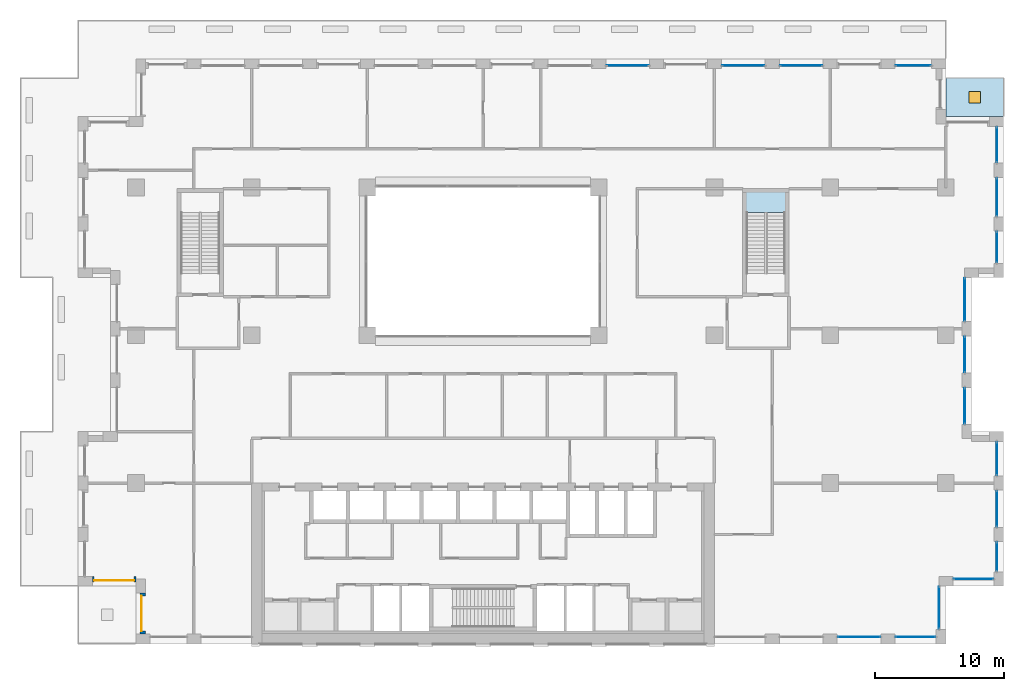
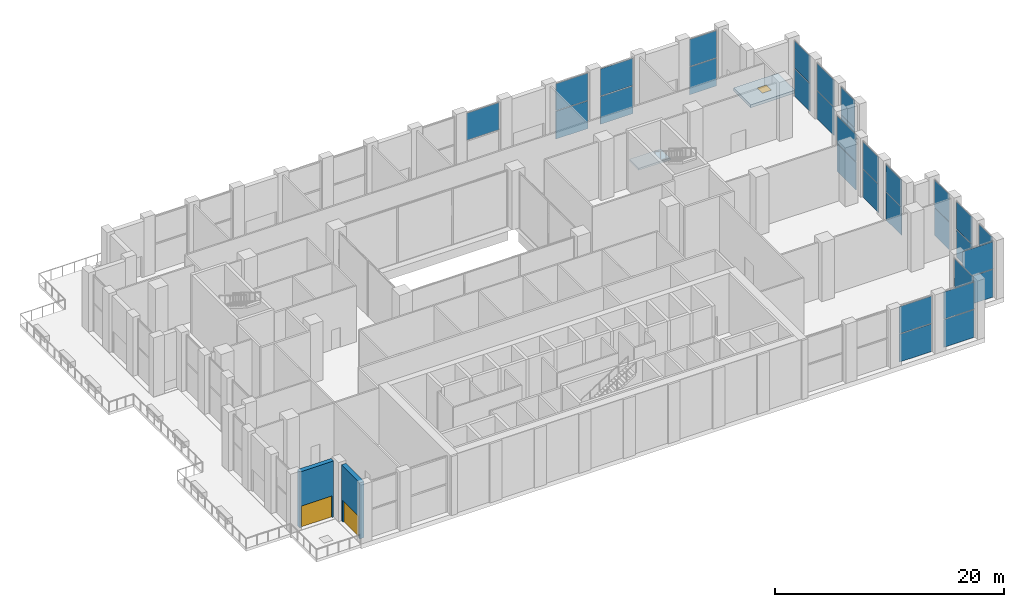
# One storey, part 12 of 21: 33 plates, 2 doors, 2 slabs, 2 walls, 1 window, 3 openings, 18 elements without a shape of their own.
"""IFC4 building model written with IfcOpenShell, lengths in metres."""

import ifcopenshell
import ifcopenshell.guid

model = None  # the IFC model being written
_history = None  # IfcOwnerHistory: only IFC2X3 demands one
_inside = {}  # id of a spatial element -> (the spatial element, [elements in it])
_under = {}  # id of a project, library or spatial element -> (it, [spatial elements below it])
_declared = {}  # id of a project -> (the project, [libraries it declares])
_typed = {}  # id of a type object -> (the type object, [elements of that type])
_made_of = {}  # id of a material, layer set ... -> (it, [elements and type objects made of it])


def new_model(schema):
    """Start an empty IFC model of exactly this schema.

    Asked for "IFC4X3", IfcOpenShell would pick the latest addendum, in which some entities
    have other attributes; the version numbers below select the first issue.
    IFC2X3 requires an IfcOwnerHistory on every rooted entity: one is made here for all.
    """
    global model, _history
    if schema == "IFC4X3":
        model = ifcopenshell.file(schema_version=(4, 3, 0, 0))
    else:
        model = ifcopenshell.file(schema=schema)
    _inside.clear()
    _under.clear()
    _declared.clear()
    _typed.clear()
    _made_of.clear()
    _history = None
    if model.schema == "IFC2X3":
        org = make("IfcOrganization", Name="unknown")
        user = make(
            "IfcPersonAndOrganization",
            ThePerson=make("IfcPerson", FamilyName="unknown"),
            TheOrganization=org,
        )
        app = make(
            "IfcApplication",
            ApplicationDeveloper=org,
            Version="unknown",
            ApplicationFullName="unknown",
            ApplicationIdentifier="unknown",
        )
        _history = make(
            "IfcOwnerHistory",
            OwningUser=user,
            OwningApplication=app,
            ChangeAction="ADDED",
            CreationDate=0,
        )
    return model


def make(cls, **values):
    """One entity of the class cls with the attributes given. An attribute that is None is left unset."""
    return model.create_entity(
        cls, **{name: value for name, value in values.items() if value is not None}
    )


def rooted(cls, **values):
    """An entity with a GlobalId (a new one), such as an element, a storey or a relation."""
    return make(cls, GlobalId=ifcopenshell.guid.new(), OwnerHistory=_history, **values)


def si_unit(unit_type, name, prefix=None):
    """IfcSIUnit, for example si_unit("LENGTHUNIT", "METRE", prefix="MILLI")."""
    return make("IfcSIUnit", UnitType=unit_type, Prefix=prefix, Name=name)


def assignment(units):
    """IfcUnitAssignment: the units of a project."""
    return None if units is None else make("IfcUnitAssignment", Units=units)


def point(xyz):
    """IfcCartesianPoint."""
    return None if xyz is None else make("IfcCartesianPoint", Coordinates=xyz)


def direction(xyz):
    """IfcDirection."""
    return None if xyz is None else make("IfcDirection", DirectionRatios=xyz)


def frame(location, z_axis=None, x_axis=None):
    """IfcAxis2Placement3D, a coordinate frame: its origin and axes. An axis left out is left unset."""
    return make(
        "IfcAxis2Placement3D",
        Location=point(location),
        Axis=direction(z_axis),
        RefDirection=direction(x_axis),
    )


def frame_2d(location, x_axis=None):
    """IfcAxis2Placement2D, a coordinate frame in the plane: its origin and x axis."""
    return make(
        "IfcAxis2Placement2D", Location=point(location), RefDirection=direction(x_axis)
    )


def origin():
    """The frame at (0, 0, 0) with its axes left unset."""
    return frame((0.0, 0.0, 0.0))


def origin_2d():
    """The frame at (0, 0) in the plane with its x axis left unset."""
    return frame_2d((0.0, 0.0))


def place(relative_to, where):
    """IfcLocalPlacement: puts the frame where relative to a parent placement (None: the world)."""
    return make(
        "IfcLocalPlacement", PlacementRelTo=relative_to, RelativePlacement=where
    )


def context(
    kind, dimensions, precision=None, world=None, true_north=None, identifier=None
):
    """IfcGeometricRepresentationContext, for example the 3D "Model" context."""
    return make(
        "IfcGeometricRepresentationContext",
        ContextIdentifier=identifier,
        ContextType=kind,
        CoordinateSpaceDimension=dimensions,
        Precision=precision,
        WorldCoordinateSystem=world,
        TrueNorth=true_north,
    )


def subcontext(parent, identifier, kind, view, scale=None):
    """IfcGeometricRepresentationSubContext, for example "Body" below "Model"."""
    return make(
        "IfcGeometricRepresentationSubContext",
        ContextIdentifier=identifier,
        ContextType=kind,
        ParentContext=parent,
        TargetScale=scale,
        TargetView=view,
    )


def project(units=None, contexts=None):
    """IfcProject with its units and contexts."""
    return rooted(
        "IfcProject",
        Name="project",
        RepresentationContexts=contexts,
        UnitsInContext=assignment(units),
    )


def spatial(cls, under=None, at=None, **own):
    """A site, building, storey or space (cls), placed at a placement, below another one or the project."""
    s = rooted(cls, ObjectPlacement=at, **own)
    if under is not None:
        _under.setdefault(under.id(), (under, []))[1].append(s)
    return s


def polyline(points):
    """IfcPolyline through the points."""
    return make("IfcPolyline", Points=[point(p) for p in points])


def profile(cls, at=None, kind="AREA", **sizes):
    """A parametric profile (cls). Its sizes go by their IFC names, for example OverallWidth=200.0."""
    return make(cls, ProfileType=kind, Position=at, **sizes)


def rectangle(**sizes):
    """IfcRectangleProfileDef."""
    return profile("IfcRectangleProfileDef", **sizes)


def outline(outer, holes=None, kind="AREA"):
    """IfcArbitraryClosedProfileDef: a profile drawn as a closed curve; with holes, ...WithVoids."""
    if holes is None:
        return make("IfcArbitraryClosedProfileDef", ProfileType=kind, OuterCurve=outer)
    return make(
        "IfcArbitraryProfileDefWithVoids",
        ProfileType=kind,
        OuterCurve=outer,
        InnerCurves=holes,
    )


def extrude(swept, where, along, depth):
    """IfcExtrudedAreaSolid: the profile swept, set in the frame where, extruded along a direction by depth."""
    return make(
        "IfcExtrudedAreaSolid",
        SweptArea=swept,
        Position=where,
        ExtrudedDirection=direction(along),
        Depth=depth,
    )


def shape(context_of_items, identifier, shape_type, items):
    """IfcShapeRepresentation: the items that make up one representation, for example the "Body"."""
    return make(
        "IfcShapeRepresentation",
        ContextOfItems=context_of_items,
        RepresentationIdentifier=identifier,
        RepresentationType=shape_type,
        Items=items,
    )


def material(Name=None, Category=None):
    """IfcMaterial."""
    return make("IfcMaterial", Name=Name, Category=Category)


def layer(
    of_material, thickness, ventilated=None, Name=None, Category=None, Priority=None
):
    """IfcMaterialLayer: one layer of a wall or slab, of a material (None: an air gap)."""
    return make(
        "IfcMaterialLayer",
        Material=of_material,
        LayerThickness=thickness,
        IsVentilated=ventilated,
        Name=Name,
        Category=Category,
        Priority=Priority,
    )


def layer_set(layers, Name=None):
    """IfcMaterialLayerSet."""
    return make("IfcMaterialLayerSet", MaterialLayers=layers, LayerSetName=Name)


def made_of(thing, what):
    """Note that an element or type object is made of a material, layer set ...; save() writes the relation."""
    if what is not None:
        _made_of.setdefault(what.id(), (what, []))[1].append(thing)
    return thing


def type_object(cls, material=None, **own):
    """A type object (cls), such as IfcWallType, which elements share."""
    return made_of(rooted(cls, **own), material)


def element(
    cls,
    number,
    at=None,
    inside=None,
    cuts=None,
    type_object=None,
    material=None,
    context=None,
    identifier="Body",
    shape_type=None,
    held_by="IfcProductDefinitionShape",
    body=None,
    shapes=None,
    **own,
):
    """One element of the class cls, such as IfcWall. Its Tag is "e" and its number.

    at: its placement. inside: the storey or other place that contains it. cuts: it is an
    opening in that element (IfcRelVoidsElement). A single representation is given by context,
    identifier, shape_type and body (its items); several are given by shapes. held_by: the class
    of the entity that holds the representations. save() writes the other relations.
    """
    e = rooted(cls, Tag="e%d" % number, ObjectPlacement=at, **own)
    if body is not None:
        shapes = [shape(context, identifier, shape_type, body)]
    if shapes is not None:
        e.Representation = make(held_by, Representations=shapes)
    if inside is not None:
        _inside.setdefault(inside.id(), (inside, []))[1].append(e)
    if cuts is not None:
        rooted(
            "IfcRelVoidsElement", RelatingBuildingElement=cuts, RelatedOpeningElement=e
        )
    if type_object is not None:
        _typed.setdefault(type_object.id(), (type_object, []))[1].append(e)
    return made_of(e, material)


def fill(opening, filler):
    """IfcRelFillsElement: the door or window that sits in an opening."""
    return rooted(
        "IfcRelFillsElement",
        RelatingOpeningElement=opening,
        RelatedBuildingElement=filler,
    )


def aggregate(whole, parts):
    """IfcRelAggregates: a whole, such as a stair, and the parts it consists of."""
    return rooted("IfcRelAggregates", RelatingObject=whole, RelatedObjects=parts)


def save(model, path):
    """Write the relations noted so far, then the file.

    IfcRelAggregates (storeys below a building ...), IfcRelContainedInSpatialStructure (elements
    in a storey), IfcRelDefinesByType, IfcRelAssociatesMaterial and IfcRelDeclares: one each for
    every whole, place, type object, material and project.
    """
    for whole, parts in _under.values():
        aggregate(whole, parts)
    for where, things in _inside.values():
        rooted(
            "IfcRelContainedInSpatialStructure",
            RelatedElements=things,
            RelatingStructure=where,
        )
    for kind, things in _typed.values():
        rooted("IfcRelDefinesByType", RelatedObjects=things, RelatingType=kind)
    for what, things in _made_of.values():
        rooted("IfcRelAssociatesMaterial", RelatedObjects=things, RelatingMaterial=what)
    for by, libraries in _declared.values():
        rooted("IfcRelDeclares", RelatingContext=by, RelatedDefinitions=libraries)
    model.write(path)


model = new_model("IFC4")

# Units and contexts
model_context = context("Model", 3, precision=1e-05, world=origin(), true_north=direction((0.0, 1.0)))
body_context = subcontext(model_context, "Body", "Model", "MODEL_VIEW")
ifc_project = project(units=[si_unit("LENGTHUNIT", "METRE"), si_unit("AREAUNIT", "SQUARE_METRE"), si_unit("VOLUMEUNIT", "CUBIC_METRE"), si_unit("PLANEANGLEUNIT", "RADIAN"), si_unit("MASSUNIT", "GRAM", prefix="KILO")], contexts=[model_context])

# Site, building, storey
site_placement = place(None, origin())
site = spatial("IfcSite", under=ifc_project, at=site_placement, CompositionType="ELEMENT")
building_placement = place(site_placement, origin())
building = spatial("IfcBuilding", under=site, at=building_placement, Name="Brigalow Station Residences", CompositionType="ELEMENT")
storey_placement = place(building_placement, frame((0.0, 0.0, 77.25)))
storey = spatial("IfcBuildingStorey", under=building, at=storey_placement, Name="L22", CompositionType="ELEMENT", Elevation=77.25)

# Curtain wall, plates
ifc_material_1 = material(Name="Aluminium", Category="aluminium")
ifc_layer_1 = layer(ifc_material_1, 0.199951171875)
ifc_layer_set_1 = layer_set([ifc_layer_1], Name="SKY FLOOR GLAZING CURTAIN WALL")
curtain_wall_type = type_object("IfcCurtainWallType", Name="SKY FLOOR GLAZING CURTAIN WALL", PredefinedType="NOTDEFINED", material=ifc_layer_set_1)
curtain_wall_1_placement = place(storey_placement, origin())
curtain_wall_1 = element("IfcCurtainWall", 1, at=curtain_wall_1_placement, inside=storey, type_object=curtain_wall_type, Name="L22/cw/W-L22-6", PredefinedType="NOTDEFINED")
ifc_material_2 = material(Name="Laminated low-emissivity double-glazed unit")
ifc_layer_2 = layer(ifc_material_2, 0.050048828125)
ifc_layer_set_2 = layer_set([ifc_layer_2], Name="SKY FLOOR GLAZING PANEL 50")
plate_type = type_object("IfcPlateType", Name="SKY FLOOR GLAZING PANEL 50", PredefinedType="CURTAIN_PANEL", material=ifc_layer_set_2)
plate_1_placement = place(storey_placement, frame((65.25, 0.52490234375, 0.0), z_axis=(0.0, 0.0, 1.0), x_axis=(1.0, 0.0, 0.0)))
plate_1 = element("IfcPlate", 2, at=plate_1_placement, type_object=plate_type, Name="L22/cw/W-L22-6/P00-00", PredefinedType="CURTAIN_PANEL", context=body_context, shape_type="SweptSolid", body=[
    extrude(rectangle(XDim=3.260009765625, YDim=0.050048828125, at=origin_2d()), origin(), (0.0, 0.0, 1.0), 2.955078125),
])
plate_2_placement = place(storey_placement, frame((65.25, 0.52490234375, 3.02490234375), z_axis=(0.0, 0.0, 1.0), x_axis=(1.0, 0.0, 0.0)))
plate_2 = element("IfcPlate", 3, at=plate_2_placement, type_object=plate_type, Name="L22/cw/W-L22-6/P00-01", PredefinedType="CURTAIN_PANEL", context=body_context, shape_type="SweptSolid", body=[
    extrude(rectangle(XDim=3.260009765625, YDim=0.050048828125, at=origin_2d()), origin(), (0.0, 0.0, 1.0), 2.885009765625),
])
aggregate(curtain_wall_1, [plate_1, plate_2])

curtain_wall_2_placement = place(storey_placement, origin())
curtain_wall_2 = element("IfcCurtainWall", 4, at=curtain_wall_2_placement, inside=storey, type_object=curtain_wall_type, Name="L22/cw/W-L22-7", PredefinedType="NOTDEFINED")
plate_3_placement = place(storey_placement, frame((69.64990234375, 0.52490234375, 0.0), z_axis=(0.0, 0.0, 1.0), x_axis=(1.0, 0.0, 0.0)))
plate_3 = element("IfcPlate", 5, at=plate_3_placement, type_object=plate_type, Name="L22/cw/W-L22-7/P00-00", PredefinedType="CURTAIN_PANEL", context=body_context, shape_type="SweptSolid", body=[
    extrude(rectangle(XDim=3.06005859375, YDim=0.050048828125, at=origin_2d()), origin(), (0.0, 0.0, 1.0), 2.955078125),
])
plate_4_placement = place(storey_placement, frame((69.64990234375, 0.52490234375, 3.02490234375), z_axis=(0.0, 0.0, 1.0), x_axis=(1.0, 0.0, 0.0)))
plate_4 = element("IfcPlate", 6, at=plate_4_placement, type_object=plate_type, Name="L22/cw/W-L22-7/P00-01", PredefinedType="CURTAIN_PANEL", context=body_context, shape_type="SweptSolid", body=[
    extrude(rectangle(XDim=3.06005859375, YDim=0.050048828125, at=origin_2d()), origin(), (0.0, 0.0, 1.0), 2.885009765625),
])
aggregate(curtain_wall_2, [plate_3, plate_4])

curtain_wall_3_placement = place(storey_placement, origin())
curtain_wall_3 = element("IfcCurtainWall", 7, at=curtain_wall_3_placement, inside=storey, type_object=curtain_wall_type, Name="L22/cw/W-L22-8", PredefinedType="NOTDEFINED")
plate_5_placement = place(storey_placement, frame((71.47509765625, 2.800048828125, 0.0), z_axis=(0.0, 0.0, 1.0), x_axis=(0.0, 1.0, 0.0)))
plate_5 = element("IfcPlate", 8, at=plate_5_placement, type_object=plate_type, Name="L22/cw/W-L22-8/P00-00", PredefinedType="CURTAIN_PANEL", context=body_context, shape_type="SweptSolid", body=[
    extrude(rectangle(XDim=3.260009765625, YDim=0.050048828125, at=origin_2d()), origin(), (0.0, 0.0, 1.0), 2.955078125),
])
plate_6_placement = place(storey_placement, frame((71.47509765625, 2.800048828125, 3.02490234375), z_axis=(0.0, 0.0, 1.0), x_axis=(0.0, 1.0, 0.0)))
plate_6 = element("IfcPlate", 9, at=plate_6_placement, type_object=plate_type, Name="L22/cw/W-L22-8/P00-01", PredefinedType="CURTAIN_PANEL", context=body_context, shape_type="SweptSolid", body=[
    extrude(rectangle(XDim=3.260009765625, YDim=0.050048828125, at=origin_2d()), origin(), (0.0, 0.0, 1.0), 2.885009765625),
])
aggregate(curtain_wall_3, [plate_5, plate_6])

curtain_wall_4_placement = place(storey_placement, origin())
curtain_wall_4 = element("IfcCurtainWall", 10, at=curtain_wall_4_placement, inside=storey, type_object=curtain_wall_type, Name="L22/cw/W-L22-9", PredefinedType="NOTDEFINED")
plate_7_placement = place(storey_placement, frame((74.14990234375, 5.02490234375, 0.0), z_axis=(0.0, 0.0, 1.0), x_axis=(1.0, 0.0, 0.0)))
plate_7 = element("IfcPlate", 11, at=plate_7_placement, type_object=plate_type, Name="L22/cw/W-L22-9/P00-00", PredefinedType="CURTAIN_PANEL", context=body_context, shape_type="SweptSolid", body=[
    extrude(rectangle(XDim=3.06005859375, YDim=0.050048828125, at=origin_2d()), origin(), (0.0, 0.0, 1.0), 2.955078125),
])
plate_8_placement = place(storey_placement, frame((74.14990234375, 5.02490234375, 3.02490234375), z_axis=(0.0, 0.0, 1.0), x_axis=(1.0, 0.0, 0.0)))
plate_8 = element("IfcPlate", 12, at=plate_8_placement, type_object=plate_type, Name="L22/cw/W-L22-9/P00-01", PredefinedType="CURTAIN_PANEL", context=body_context, shape_type="SweptSolid", body=[
    extrude(rectangle(XDim=3.06005859375, YDim=0.050048828125, at=origin_2d()), origin(), (0.0, 0.0, 1.0), 2.885009765625),
])
aggregate(curtain_wall_4, [plate_7, plate_8])

curtain_wall_5_placement = place(storey_placement, origin())
curtain_wall_5 = element("IfcCurtainWall", 13, at=curtain_wall_5_placement, inside=storey, type_object=curtain_wall_type, Name="L22/cw/W-L22-10", PredefinedType="NOTDEFINED")
plate_9_placement = place(storey_placement, frame((75.97509765625, 6.77490234375, 0.0), z_axis=(0.0, 0.0, 1.0), x_axis=(0.0, 1.0, 0.0)))
plate_9 = element("IfcPlate", 14, at=plate_9_placement, type_object=plate_type, Name="L22/cw/W-L22-10/P00-00", PredefinedType="CURTAIN_PANEL", context=body_context, shape_type="SweptSolid", body=[
    extrude(rectangle(XDim=2.2099609375, YDim=0.050048828125, at=origin_2d()), origin(), (0.0, 0.0, 1.0), 2.955078125),
])
plate_10_placement = place(storey_placement, frame((75.97509765625, 6.77490234375, 3.02490234375), z_axis=(0.0, 0.0, 1.0), x_axis=(0.0, 1.0, 0.0)))
plate_10 = element("IfcPlate", 15, at=plate_10_placement, type_object=plate_type, Name="L22/cw/W-L22-10/P00-01", PredefinedType="CURTAIN_PANEL", context=body_context, shape_type="SweptSolid", body=[
    extrude(rectangle(XDim=2.2099609375, YDim=0.050048828125, at=origin_2d()), origin(), (0.0, 0.0, 1.0), 2.885009765625),
])
aggregate(curtain_wall_5, [plate_9, plate_10])

curtain_wall_6_placement = place(storey_placement, origin())
curtain_wall_6 = element("IfcCurtainWall", 16, at=curtain_wall_6_placement, inside=storey, type_object=curtain_wall_type, Name="L22/cw/W-L22-11", PredefinedType="NOTDEFINED")
plate_11_placement = place(storey_placement, frame((75.97509765625, 10.5, 0.0), z_axis=(0.0, 0.0, 1.0), x_axis=(0.0, 1.0, 0.0)))
plate_11 = element("IfcPlate", 17, at=plate_11_placement, type_object=plate_type, Name="L22/cw/W-L22-11/P00-00", PredefinedType="CURTAIN_PANEL", context=body_context, shape_type="SweptSolid", body=[
    extrude(rectangle(XDim=2.760009765625, YDim=0.050048828125, at=origin_2d()), origin(), (0.0, 0.0, 1.0), 2.955078125),
])
plate_12_placement = place(storey_placement, frame((75.97509765625, 10.5, 3.02490234375), z_axis=(0.0, 0.0, 1.0), x_axis=(0.0, 1.0, 0.0)))
plate_12 = element("IfcPlate", 18, at=plate_12_placement, type_object=plate_type, Name="L22/cw/W-L22-11/P00-01", PredefinedType="CURTAIN_PANEL", context=body_context, shape_type="SweptSolid", body=[
    extrude(rectangle(XDim=2.760009765625, YDim=0.050048828125, at=origin_2d()), origin(), (0.0, 0.0, 1.0), 2.885009765625),
])
aggregate(curtain_wall_6, [plate_11, plate_12])

curtain_wall_7_placement = place(storey_placement, origin())
curtain_wall_7 = element("IfcCurtainWall", 19, at=curtain_wall_7_placement, inside=storey, type_object=curtain_wall_type, Name="L22/cw/W-L22-12", PredefinedType="NOTDEFINED")
plate_13_placement = place(storey_placement, frame((75.97509765625, 14.39990234375, 0.0), z_axis=(0.0, 0.0, 1.0), x_axis=(0.0, 1.0, 0.0)))
plate_13 = element("IfcPlate", 20, at=plate_13_placement, type_object=plate_type, Name="L22/cw/W-L22-12/P00-00", PredefinedType="CURTAIN_PANEL", context=body_context, shape_type="SweptSolid", body=[
    extrude(rectangle(XDim=2.56005859375, YDim=0.050048828125, at=origin_2d()), origin(), (0.0, 0.0, 1.0), 2.955078125),
])
plate_14_placement = place(storey_placement, frame((75.97509765625, 14.39990234375, 3.02490234375), z_axis=(0.0, 0.0, 1.0), x_axis=(0.0, 1.0, 0.0)))
plate_14 = element("IfcPlate", 21, at=plate_14_placement, type_object=plate_type, Name="L22/cw/W-L22-12/P00-01", PredefinedType="CURTAIN_PANEL", context=body_context, shape_type="SweptSolid", body=[
    extrude(rectangle(XDim=2.56005859375, YDim=0.050048828125, at=origin_2d()), origin(), (0.0, 0.0, 1.0), 2.885009765625),
])
aggregate(curtain_wall_7, [plate_13, plate_14])

curtain_wall_8_placement = place(storey_placement, origin())
curtain_wall_8 = element("IfcCurtainWall", 22, at=curtain_wall_8_placement, inside=storey, type_object=curtain_wall_type, Name="L22/cw/W-L22-14", PredefinedType="NOTDEFINED")
plate_15_placement = place(storey_placement, frame((73.47509765625, 18.5, 0.0), z_axis=(0.0, 0.0, 1.0), x_axis=(0.0, 1.0, 0.0)))
plate_15 = element("IfcPlate", 23, at=plate_15_placement, type_object=plate_type, Name="L22/cw/W-L22-14/P00-00", PredefinedType="CURTAIN_PANEL", context=body_context, shape_type="SweptSolid", body=[
    extrude(rectangle(XDim=2.760009765625, YDim=0.050048828125, at=origin_2d()), origin(), (0.0, 0.0, 1.0), 2.955078125),
])
plate_16_placement = place(storey_placement, frame((73.47509765625, 18.5, 3.02490234375), z_axis=(0.0, 0.0, 1.0), x_axis=(0.0, 1.0, 0.0)))
plate_16 = element("IfcPlate", 24, at=plate_16_placement, type_object=plate_type, Name="L22/cw/W-L22-14/P00-01", PredefinedType="CURTAIN_PANEL", context=body_context, shape_type="SweptSolid", body=[
    extrude(rectangle(XDim=2.760009765625, YDim=0.050048828125, at=origin_2d()), origin(), (0.0, 0.0, 1.0), 2.885009765625),
])
aggregate(curtain_wall_8, [plate_15, plate_16])

curtain_wall_9_placement = place(storey_placement, origin())
curtain_wall_9 = element("IfcCurtainWall", 25, at=curtain_wall_9_placement, inside=storey, type_object=curtain_wall_type, Name="L22/cw/W-L22-15", PredefinedType="NOTDEFINED")
plate_17_placement = place(storey_placement, frame((73.47509765625, 22.5, 0.0), z_axis=(0.0, 0.0, 1.0), x_axis=(0.0, 1.0, 0.0)))
plate_17 = element("IfcPlate", 26, at=plate_17_placement, type_object=plate_type, Name="L22/cw/W-L22-15/P00-00", PredefinedType="CURTAIN_PANEL", context=body_context, shape_type="SweptSolid", body=[
    extrude(rectangle(XDim=2.760009765625, YDim=0.050048828125, at=origin_2d()), origin(), (0.0, 0.0, 1.0), 2.955078125),
])
plate_18_placement = place(storey_placement, frame((73.47509765625, 22.5, 3.02490234375), z_axis=(0.0, 0.0, 1.0), x_axis=(0.0, 1.0, 0.0)))
plate_18 = element("IfcPlate", 27, at=plate_18_placement, type_object=plate_type, Name="L22/cw/W-L22-15/P00-01", PredefinedType="CURTAIN_PANEL", context=body_context, shape_type="SweptSolid", body=[
    extrude(rectangle(XDim=2.760009765625, YDim=0.050048828125, at=origin_2d()), origin(), (0.0, 0.0, 1.0), 2.885009765625),
])
aggregate(curtain_wall_9, [plate_17, plate_18])

curtain_wall_10_placement = place(storey_placement, origin())
curtain_wall_10 = element("IfcCurtainWall", 28, at=curtain_wall_10_placement, inside=storey, type_object=curtain_wall_type, Name="L22/cw/W-L22-16", PredefinedType="NOTDEFINED")
plate_19_placement = place(storey_placement, frame((73.47509765625, 26.77490234375, 0.0), z_axis=(0.0, 0.0, 1.0), x_axis=(0.0, 1.0, 0.0)))
plate_19 = element("IfcPlate", 29, at=plate_19_placement, type_object=plate_type, Name="L22/cw/W-L22-16/P00-00", PredefinedType="CURTAIN_PANEL", context=body_context, shape_type="SweptSolid", body=[
    extrude(rectangle(XDim=3.31005859375, YDim=0.050048828125, at=origin_2d()), origin(), (0.0, 0.0, 1.0), 2.955078125),
])
plate_20_placement = place(storey_placement, frame((73.47509765625, 26.77490234375, 3.02490234375), z_axis=(0.0, 0.0, 1.0), x_axis=(0.0, 1.0, 0.0)))
plate_20 = element("IfcPlate", 30, at=plate_20_placement, type_object=plate_type, Name="L22/cw/W-L22-16/P00-01", PredefinedType="CURTAIN_PANEL", context=body_context, shape_type="SweptSolid", body=[
    extrude(rectangle(XDim=3.31005859375, YDim=0.050048828125, at=origin_2d()), origin(), (0.0, 0.0, 1.0), 2.885009765625),
])
aggregate(curtain_wall_10, [plate_19, plate_20])

curtain_wall_11_placement = place(storey_placement, origin())
curtain_wall_11 = element("IfcCurtainWall", 31, at=curtain_wall_11_placement, inside=storey, type_object=curtain_wall_type, Name="L22/cw/W-L22-18", PredefinedType="NOTDEFINED")
plate_21_placement = place(storey_placement, frame((75.97509765625, 30.8583984375, 0.0), z_axis=(0.0, 0.0, 1.0), x_axis=(0.0, 1.0, 0.0)))
plate_21 = element("IfcPlate", 32, at=plate_21_placement, type_object=plate_type, Name="L22/cw/W-L22-18/P00-00", PredefinedType="CURTAIN_PANEL", context=body_context, shape_type="SweptSolid", body=[
    extrude(rectangle(XDim=2.376953125, YDim=0.050048828125, at=origin_2d()), origin(), (0.0, 0.0, 1.0), 2.955078125),
])
plate_22_placement = place(storey_placement, frame((75.97509765625, 30.8583984375, 3.02490234375), z_axis=(0.0, 0.0, 1.0), x_axis=(0.0, 1.0, 0.0)))
plate_22 = element("IfcPlate", 33, at=plate_22_placement, type_object=plate_type, Name="L22/cw/W-L22-18/P00-01", PredefinedType="CURTAIN_PANEL", context=body_context, shape_type="SweptSolid", body=[
    extrude(rectangle(XDim=2.376953125, YDim=0.050048828125, at=origin_2d()), origin(), (0.0, 0.0, 1.0), 2.885009765625),
])
aggregate(curtain_wall_11, [plate_21, plate_22])

curtain_wall_12_placement = place(storey_placement, origin())
curtain_wall_12 = element("IfcCurtainWall", 34, at=curtain_wall_12_placement, inside=storey, type_object=curtain_wall_type, Name="L22/cw/W-L22-19", PredefinedType="NOTDEFINED")
plate_23_placement = place(storey_placement, frame((75.97509765625, 34.75, 0.0), z_axis=(0.0, 0.0, 1.0), x_axis=(0.0, 1.0, 0.0)))
plate_23 = element("IfcPlate", 35, at=plate_23_placement, type_object=plate_type, Name="L22/cw/W-L22-19/P00-00", PredefinedType="CURTAIN_PANEL", context=body_context, shape_type="SweptSolid", body=[
    extrude(rectangle(XDim=2.926025390625, YDim=0.050048828125, at=origin_2d()), origin(), (0.0, 0.0, 1.0), 2.955078125),
])
plate_24_placement = place(storey_placement, frame((75.97509765625, 34.75, 3.02490234375), z_axis=(0.0, 0.0, 1.0), x_axis=(0.0, 1.0, 0.0)))
plate_24 = element("IfcPlate", 36, at=plate_24_placement, type_object=plate_type, Name="L22/cw/W-L22-19/P00-01", PredefinedType="CURTAIN_PANEL", context=body_context, shape_type="SweptSolid", body=[
    extrude(rectangle(XDim=2.926025390625, YDim=0.050048828125, at=origin_2d()), origin(), (0.0, 0.0, 1.0), 2.885009765625),
])
aggregate(curtain_wall_12, [plate_23, plate_24])

curtain_wall_13_placement = place(storey_placement, origin())
curtain_wall_13 = element("IfcCurtainWall", 37, at=curtain_wall_13_placement, inside=storey, type_object=curtain_wall_type, Name="L22/cw/W-L22-20", PredefinedType="NOTDEFINED")
plate_25_placement = place(storey_placement, frame((75.97509765625, 38.81640625, 0.0), z_axis=(0.0, 0.0, 1.0), x_axis=(0.0, 1.0, 0.0)))
plate_25 = element("IfcPlate", 38, at=plate_25_placement, type_object=plate_type, Name="L22/cw/W-L22-20/P00-00", PredefinedType="CURTAIN_PANEL", context=body_context, shape_type="SweptSolid", body=[
    extrude(rectangle(XDim=2.72705078125, YDim=0.050048828125, at=origin_2d()), origin(), (0.0, 0.0, 1.0), 2.955078125),
])
plate_26_placement = place(storey_placement, frame((75.97509765625, 38.81640625, 3.02490234375), z_axis=(0.0, 0.0, 1.0), x_axis=(0.0, 1.0, 0.0)))
plate_26 = element("IfcPlate", 39, at=plate_26_placement, type_object=plate_type, Name="L22/cw/W-L22-20/P00-01", PredefinedType="CURTAIN_PANEL", context=body_context, shape_type="SweptSolid", body=[
    extrude(rectangle(XDim=2.72705078125, YDim=0.050048828125, at=origin_2d()), origin(), (0.0, 0.0, 1.0), 2.885009765625),
])
aggregate(curtain_wall_13, [plate_25, plate_26])

curtain_wall_14_placement = place(storey_placement, origin())
curtain_wall_14 = element("IfcCurtainWall", 40, at=curtain_wall_14_placement, inside=storey, type_object=curtain_wall_type, Name="L22/cw/W-L22-23", PredefinedType="NOTDEFINED")
plate_27_placement = place(storey_placement, frame((69.47509765625, 44.97509765625, 0.0), z_axis=(0.0, 0.0, 1.0), x_axis=(-1.0, 0.0, 0.0)))
plate_27 = element("IfcPlate", 41, at=plate_27_placement, type_object=plate_type, Name="L22/cw/W-L22-23/P00-00", PredefinedType="CURTAIN_PANEL", context=body_context, shape_type="SweptSolid", body=[
    extrude(rectangle(XDim=2.7099609375, YDim=0.050048828125, at=origin_2d()), origin(), (0.0, 0.0, 1.0), 2.955078125),
])
plate_28_placement = place(storey_placement, frame((69.47509765625, 44.97509765625, 3.02490234375), z_axis=(0.0, 0.0, 1.0), x_axis=(-1.0, 0.0, 0.0)))
plate_28 = element("IfcPlate", 42, at=plate_28_placement, type_object=plate_type, Name="L22/cw/W-L22-23/P00-01", PredefinedType="CURTAIN_PANEL", context=body_context, shape_type="SweptSolid", body=[
    extrude(rectangle(XDim=2.7099609375, YDim=0.050048828125, at=origin_2d()), origin(), (0.0, 0.0, 1.0), 2.885009765625),
])
aggregate(curtain_wall_14, [plate_27, plate_28])

curtain_wall_15_placement = place(storey_placement, origin())
curtain_wall_15 = element("IfcCurtainWall", 43, at=curtain_wall_15_placement, inside=storey, type_object=curtain_wall_type, Name="L22/cw/W-L22-25", PredefinedType="NOTDEFINED")
plate_29_placement = place(storey_placement, frame((60.75, 44.97509765625, 0.0), z_axis=(0.0, 0.0, 1.0), x_axis=(-1.0, 0.0, 0.0)))
plate_29 = element("IfcPlate", 44, at=plate_29_placement, type_object=plate_type, Name="L22/cw/W-L22-25/P00-00", PredefinedType="CURTAIN_PANEL", context=body_context, shape_type="SweptSolid", body=[
    extrude(rectangle(XDim=3.260009765625, YDim=0.050048828125, at=origin_2d()), origin(), (0.0, 0.0, 1.0), 2.955078125),
])
plate_30_placement = place(storey_placement, frame((60.75, 44.97509765625, 3.02490234375), z_axis=(0.0, 0.0, 1.0), x_axis=(-1.0, 0.0, 0.0)))
plate_30 = element("IfcPlate", 45, at=plate_30_placement, type_object=plate_type, Name="L22/cw/W-L22-25/P00-01", PredefinedType="CURTAIN_PANEL", context=body_context, shape_type="SweptSolid", body=[
    extrude(rectangle(XDim=3.260009765625, YDim=0.050048828125, at=origin_2d()), origin(), (0.0, 0.0, 1.0), 2.885009765625),
])
aggregate(curtain_wall_15, [plate_29, plate_30])

curtain_wall_16_placement = place(storey_placement, origin())
curtain_wall_16 = element("IfcCurtainWall", 46, at=curtain_wall_16_placement, inside=storey, type_object=curtain_wall_type, Name="L22/cw/W-L22-26", PredefinedType="NOTDEFINED")
plate_31_placement = place(storey_placement, frame((56.25, 44.97509765625, 0.0), z_axis=(0.0, 0.0, 1.0), x_axis=(-1.0, 0.0, 0.0)))
plate_31 = element("IfcPlate", 47, at=plate_31_placement, type_object=plate_type, Name="L22/cw/W-L22-26/P00-00", PredefinedType="CURTAIN_PANEL", context=body_context, shape_type="SweptSolid", body=[
    extrude(rectangle(XDim=3.260009765625, YDim=0.050048828125, at=origin_2d()), origin(), (0.0, 0.0, 1.0), 2.955078125),
])
plate_32_placement = place(storey_placement, frame((56.25, 44.97509765625, 3.02490234375), z_axis=(0.0, 0.0, 1.0), x_axis=(-1.0, 0.0, 0.0)))
plate_32 = element("IfcPlate", 48, at=plate_32_placement, type_object=plate_type, Name="L22/cw/W-L22-26/P00-01", PredefinedType="CURTAIN_PANEL", context=body_context, shape_type="SweptSolid", body=[
    extrude(rectangle(XDim=3.260009765625, YDim=0.050048828125, at=origin_2d()), origin(), (0.0, 0.0, 1.0), 2.885009765625),
])
aggregate(curtain_wall_16, [plate_31, plate_32])

# Curtain wall, plate
curtain_wall_17_placement = place(storey_placement, origin())
curtain_wall_17 = element("IfcCurtainWall", 49, at=curtain_wall_17_placement, inside=storey, type_object=curtain_wall_type, Name="L22/cw/W-L22-28", PredefinedType="NOTDEFINED")
plate_33_placement = place(storey_placement, frame((47.25, 44.97509765625, 3.02490234375), z_axis=(0.0, 0.0, 1.0), x_axis=(-1.0, 0.0, 0.0)))
plate_33 = element("IfcPlate", 50, at=plate_33_placement, type_object=plate_type, Name="L22/cw/W-L22-28/P00-01", PredefinedType="CURTAIN_PANEL", context=body_context, shape_type="SweptSolid", body=[
    extrude(rectangle(XDim=3.260009765625, YDim=0.050048828125, at=origin_2d()), origin(), (0.0, 0.0, 1.0), 2.885009765625),
])
aggregate(curtain_wall_17, [plate_33])

# Stair, slab
ifc_material_3 = material(Name="Concrete C50", Category="concrete")
stair_type = type_object("IfcStairType", Name="EXIT STAIR 1400 2 FLIGHT", PredefinedType="HALF_TURN_STAIR", material=ifc_material_3)
stair_placement = place(storey_placement, origin())
stair = element("IfcStair", 51, at=stair_placement, inside=storey, type_object=stair_type, Name="EXIT STAIR S3 L22", PredefinedType="HALF_TURN_STAIR")
ifc_material_4 = material(Name="Concrete C50", Category="concrete")
ifc_layer_3 = layer(ifc_material_4, 0.199951171875)
ifc_layer_set_3 = layer_set([ifc_layer_3], Name="STAIR LANDING 200")
slab_type_1 = type_object("IfcSlabType", Name="STAIR LANDING 200", PredefinedType="LANDING", material=ifc_layer_set_3)
slab_1_placement = place(storey_placement, frame((0.0, 0.0, 2.949951171875)))
slab_1 = element("IfcSlab", 52, at=slab_1_placement, type_object=slab_type_1, Name="ST-3 landing 1", PredefinedType="LANDING", context=body_context, shape_type="SweptSolid", body=[
    extrude(outline(polyline([(56.39990234375, 33.56005859375), (59.60009765625, 33.56005859375), (59.60009765625, 35.199951171875), (56.39990234375, 35.199951171875), (56.39990234375, 33.56005859375)])), origin(), (0.0, 0.0, 1.0), 0.199951171875),
])
aggregate(stair, [slab_1])

# Slab, opening, window
ifc_material_5 = material(Name="Concrete C50 precast", Category="concrete")
ifc_layer_4 = layer(ifc_material_5, 0.300048828125)
ifc_layer_set_4 = layer_set([ifc_layer_4], Name="TERRACE SLAB 300")
slab_type_2 = type_object("IfcSlabType", Name="TERRACE SLAB 300", PredefinedType="FLOOR", material=ifc_layer_set_4)
slab_2_placement = place(storey_placement, frame((0.0, 0.0, -0.340087890625)))
slab_2 = element("IfcSlab", 53, at=slab_2_placement, inside=storey, type_object=slab_type_2, Name="L22/terrace/3", PredefinedType="FLOOR", context=body_context, shape_type="SweptSolid", body=[
    extrude(outline(polyline([(72.0, 44.0), (72.0, 41.0), (76.5, 41.0), (76.5, 44.0), (72.0, 44.0)])), origin(), (0.0, 0.0, 1.0), 0.300048828125),
])
opening_1_placement = place(slab_2_placement, frame((74.25, 42.5, 0.0)))
opening_1 = element("IfcOpeningElement", 54, at=opening_1_placement, cuts=slab_2, Name="Opening RF-3", PredefinedType="OPENING", context=body_context, shape_type="SweptSolid", body=[
    extrude(rectangle(XDim=0.89990234375, YDim=0.89990234375, at=origin_2d()), origin(), (0.0, 0.0, 1.0), 0.300048828125),
])
ifc_material_6 = material(Name="Laminated walkable glass in an aluminium frame", Category="aluminium")
window_type = type_object("IfcWindowType", Name="TERRACE ROOFLIGHT 900", PartitioningType="SINGLE_PANEL", PredefinedType="SKYLIGHT", material=ifc_material_6)
window_placement = place(opening_1_placement, frame((0.0, 0.0, 0.25)))
window = element("IfcWindow", 55, at=window_placement, inside=storey, type_object=window_type, Name="L22/terrace-rooflight/3", OverallHeight=0.89990234375, OverallWidth=0.89990234375, PartitioningType="SINGLE_PANEL", PredefinedType="SKYLIGHT", context=body_context, shape_type="SweptSolid", body=[
    extrude(rectangle(XDim=0.89990234375, YDim=0.89990234375, at=origin_2d()), origin(), (0.0, 0.0, 1.0), 0.050048828125),
])
fill(opening_1, window)

# Wall, opening, door
ifc_material_7 = material(Name="Clay brick masonry", Category="masonry")
ifc_layer_5 = layer(ifc_material_7, 0.449951171875)
ifc_layer_set_5 = layer_set([ifc_layer_5], Name="BRICK INFILL WALL 450")
wall_type = type_object("IfcWallType", Name="BRICK INFILL WALL 450", PredefinedType="SOLIDWALL", material=ifc_layer_set_5)
wall_1_placement = place(storey_placement, frame((5.60009765625, 5.02490234375, 0.0), z_axis=(0.0, 0.0, 1.0), x_axis=(1.0, 0.0, 0.0)))
wall_1 = element("IfcWall", 56, at=wall_1_placement, inside=storey, type_object=wall_type, Name="L22/ewall/W-L22-50", PredefinedType="SOLIDWALL", context=body_context, shape_type="SweptSolid", body=[
    extrude(rectangle(XDim=3.39990234375, YDim=0.449951171875, at=frame_2d((1.699951171875, 0.0))), origin(), (0.0, 0.0, 1.0), 5.97998046875),
])
opening_2_placement = place(wall_1_placement, frame((0.14990234375, 0.0, 0.0)))
opening_2 = element("IfcOpeningElement", 57, at=opening_2_placement, cuts=wall_1, Name="Opening D-B3100", PredefinedType="OPENING", context=body_context, shape_type="SweptSolid", body=[
    extrude(rectangle(XDim=3.10009765625, YDim=2.300048828125, at=frame_2d((1.550048828125, 1.14990234375))), frame((0.0, 0.23486328125, 0.0), z_axis=(0.0, -1.0, 0.0), x_axis=(1.0, 0.0, 0.0)), (0.0, 0.0, 1.0), 0.469970703125),
])
ifc_material_8 = material(Name="Anodised aluminium frame with double glazing", Category="aluminium")
door_type_1 = type_object("IfcDoorType", Name="BALCONY SLIDING DOOR 3100x2300", OperationType="SLIDING_TO_LEFT", PredefinedType="DOOR", material=ifc_material_8)
door_1_placement = place(opening_2_placement, origin())
door_1 = element("IfcDoor", 58, at=door_1_placement, inside=storey, type_object=door_type_1, Name="L22/balcony-door/W-L22-50", OperationType="SLIDING_TO_LEFT", OverallHeight=2.300048828125, OverallWidth=3.10009765625, PredefinedType="DOOR", context=body_context, shape_type="SweptSolid", body=[
    extrude(rectangle(XDim=3.10009765625, YDim=2.300048828125, at=frame_2d((1.550048828125, 1.14990234375))), frame((0.0, -0.06982421875, 0.0), z_axis=(0.0, -1.0, 0.0), x_axis=(1.0, 0.0, 0.0)), (0.0, 0.0, 1.0), 0.050048828125),
])
fill(opening_2, door_1)

wall_2_placement = place(storey_placement, frame((9.52490234375, 3.949951171875, 0.0), z_axis=(0.0, 0.0, 1.0), x_axis=(0.0, -1.0, 0.0)))
wall_2 = element("IfcWall", 59, at=wall_2_placement, inside=storey, type_object=wall_type, Name="L22/ewall/W-L22-51", PredefinedType="SOLIDWALL", context=body_context, shape_type="SweptSolid", body=[
    extrude(rectangle(XDim=3.199951171875, YDim=0.449951171875, at=frame_2d((1.60009765625, 0.0))), origin(), (0.0, 0.0, 1.0), 5.97998046875),
])
opening_3_placement = place(wall_2_placement, frame((0.22509765625, 0.0, 0.0)))
opening_3 = element("IfcOpeningElement", 60, at=opening_3_placement, cuts=wall_2, Name="Opening D-B2750", PredefinedType="OPENING", context=body_context, shape_type="SweptSolid", body=[
    extrude(rectangle(XDim=2.75, YDim=2.300048828125, at=frame_2d((1.375, 1.14990234375))), frame((0.0, 0.23486328125, 0.0), z_axis=(0.0, -1.0, 0.0), x_axis=(1.0, 0.0, 0.0)), (0.0, 0.0, 1.0), 0.469970703125),
])
ifc_material_9 = material(Name="Anodised aluminium frame with double glazing", Category="aluminium")
door_type_2 = type_object("IfcDoorType", Name="BALCONY SLIDING DOOR 2750x2300", OperationType="SLIDING_TO_LEFT", PredefinedType="DOOR", material=ifc_material_9)
door_2_placement = place(opening_3_placement, origin())
door_2 = element("IfcDoor", 61, at=door_2_placement, inside=storey, type_object=door_type_2, Name="L22/balcony-door/W-L22-51", OperationType="SLIDING_TO_LEFT", OverallHeight=2.300048828125, OverallWidth=2.75, PredefinedType="DOOR", context=body_context, shape_type="SweptSolid", body=[
    extrude(rectangle(XDim=2.75, YDim=2.300048828125, at=frame_2d((1.375, 1.14990234375))), frame((0.0, -0.06982421875, 0.0), z_axis=(0.0, -1.0, 0.0), x_axis=(1.0, 0.0, 0.0)), (0.0, 0.0, 1.0), 0.050048828125),
])
fill(opening_3, door_2)

save(model, "model.ifc")
